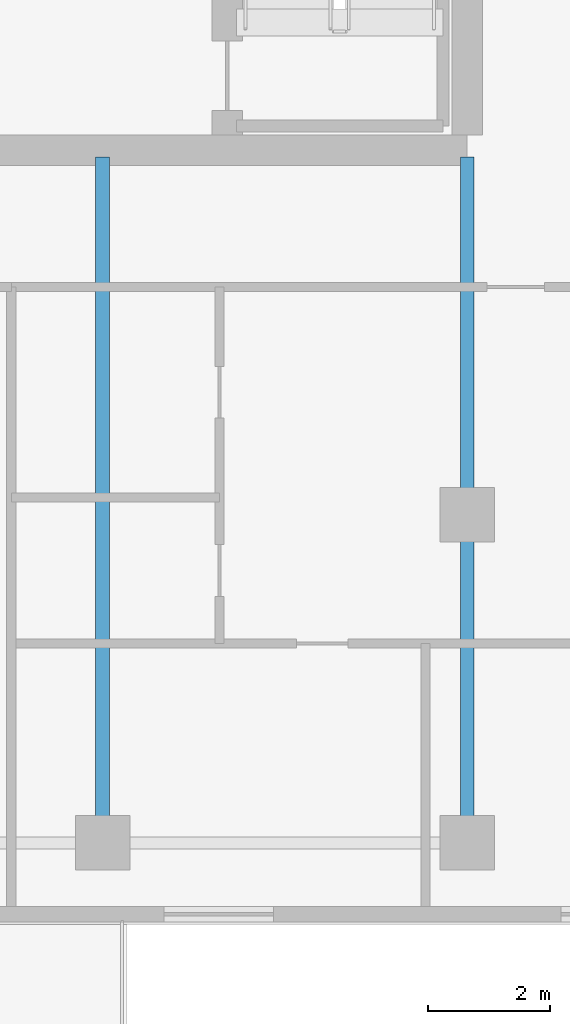
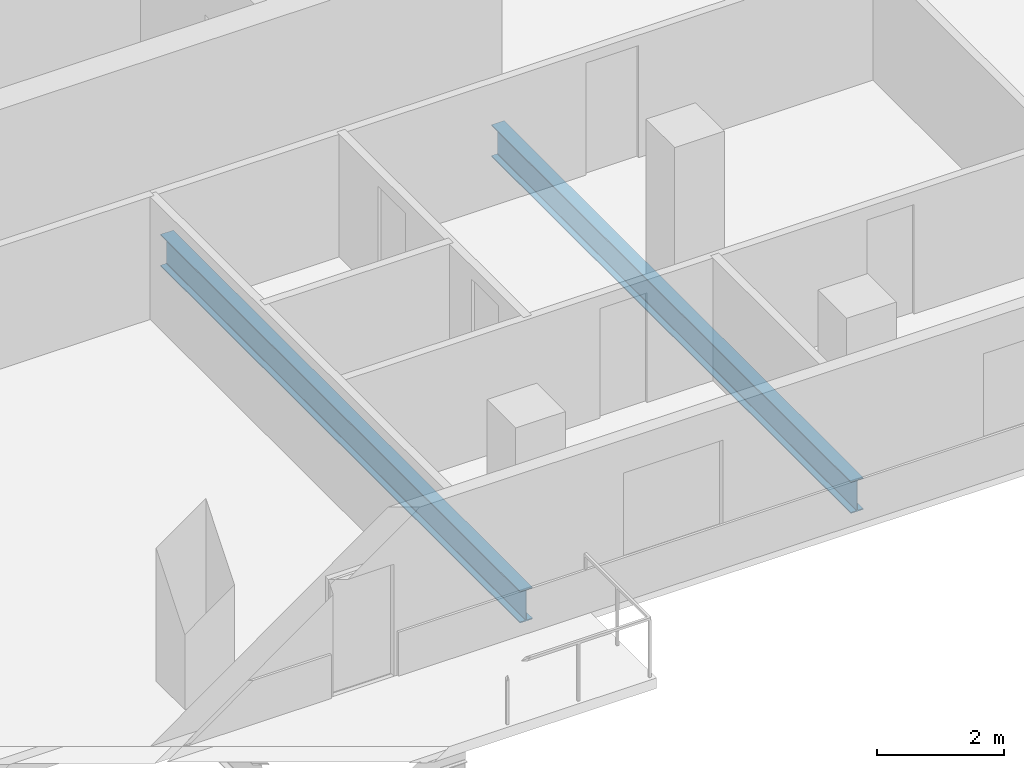
# One storey, part 14 of 29: 2 beams.
"""IFC4 building model written with IfcOpenShell, lengths in metres."""

from ifc_helpers import new_model, si_unit, direction, frame, origin, origin_2d, place, context, subcontext, project, spatial, i_section, extrude, material, material_profile, profile_set, type_object, element, save


model = new_model("IFC4")

# Units and contexts
model_context = context("Model", 3, precision=1e-05, world=origin(), true_north=direction((0.0, 1.0)))
body_context = subcontext(model_context, "Body", "Model", "MODEL_VIEW")
ifc_project = project(units=[si_unit("LENGTHUNIT", "METRE"), si_unit("AREAUNIT", "SQUARE_METRE"), si_unit("VOLUMEUNIT", "CUBIC_METRE"), si_unit("PLANEANGLEUNIT", "RADIAN"), si_unit("MASSUNIT", "GRAM", prefix="KILO")], contexts=[model_context])

# Site, building, storey
site_placement = place(None, origin())
site = spatial("IfcSite", under=ifc_project, at=site_placement, CompositionType="ELEMENT")
building_placement = place(site_placement, origin())
building = spatial("IfcBuilding", under=site, at=building_placement, Name="Tanjung Sevakor Pilgrim Tower", CompositionType="ELEMENT")
storey_placement = place(building_placement, frame((0.0, 0.0, 148.5)))
storey = spatial("IfcBuildingStorey", under=building, at=storey_placement, Name="L41", CompositionType="ELEMENT", Elevation=148.5)

# Beams
ifc_material = material(Name="Steel S355J2", Category="steel")
ifc_material_profile = material_profile(ifc_material, i_section(OverallWidth=0.22900390625, OverallDepth=0.6123046875, WebThickness=0.011962890625, FlangeThickness=0.01953125, FilletRadius=0.0126953125, at=origin_2d()))
ifc_profile_set = profile_set([ifc_material_profile], Name="Steel S355J2")
beam_type = type_object("IfcBeamType", Name="BM-B-G4-UB_610x229x125", PredefinedType="BEAM", material=ifc_profile_set)
for number, where, z_axis, x_axis, name in (
    (1, (84.0, 13.199951171875, -0.526123046875), (0.0, 1.0, 0.0), (-1.0, 0.0, 0.0), "L41 MAIN Girder 011"),
    (2, (90.0, 13.199951171875, -0.526123046875), (0.0, 1.0, 0.0), (-1.0, 0.0, 0.0), "L41 MAIN Girder 013"),
):
    element("IfcBeam", number, at=place(storey_placement, frame(where, z_axis=z_axis, x_axis=x_axis)), inside=storey, type_object=beam_type, Name=name, PredefinedType="BEAM", context=body_context, shape_type="SweptSolid", body=[
        extrude(i_section(OverallWidth=0.22900390625, OverallDepth=0.6123046875, WebThickness=0.011962890625, FlangeThickness=0.01953125, FilletRadius=0.0126953125, at=origin_2d()), origin(), (0.0, 0.0, 1.0), 11.284912109375),
    ])

save(model, "model.ifc")
